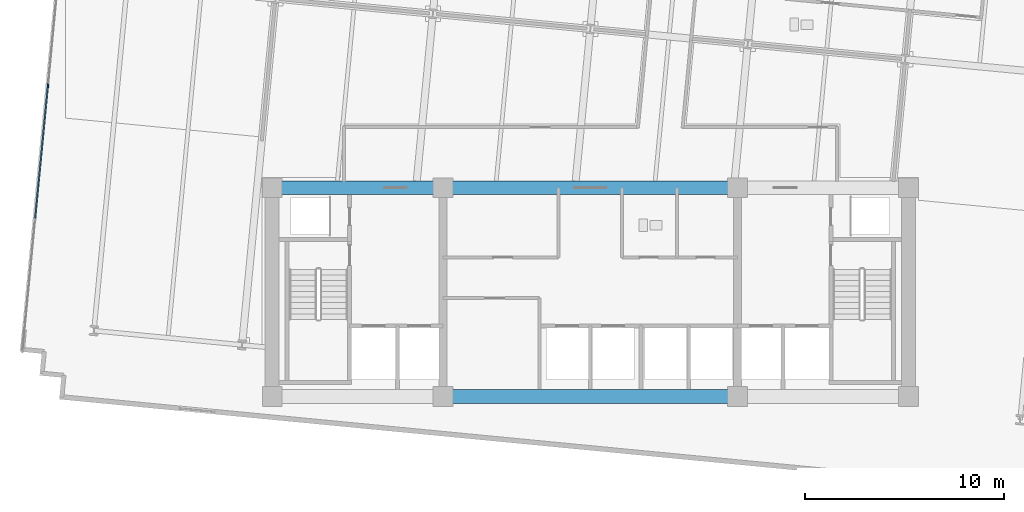
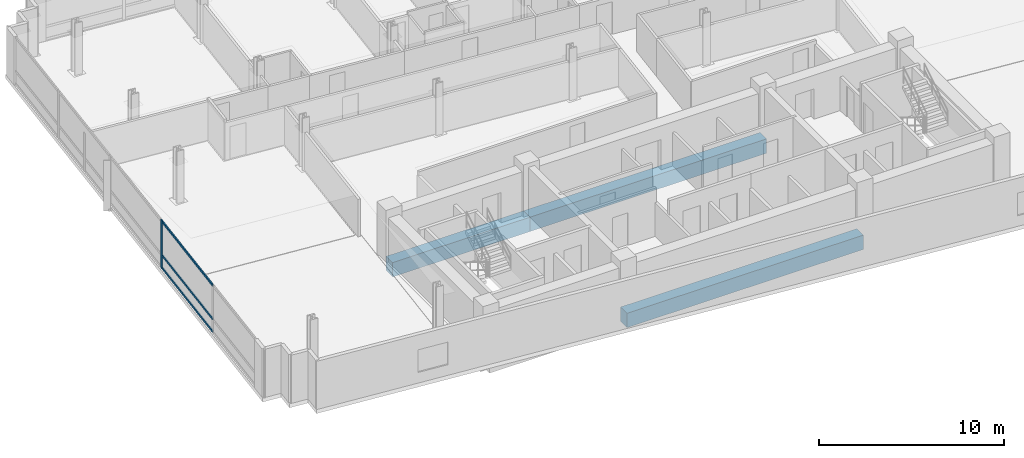
# One storey, part 3 of 17: 4 members, 3 beams, 1 element without a shape of its own.
"""IFC4 building model written with IfcOpenShell, lengths in metres."""

from ifc_helpers import new_model, si_unit, direction, frame, origin, origin_2d, place, context, subcontext, project, spatial, rectangle, extrude, material, material_profile, profile_set, type_object, element, aggregate, save


model = new_model("IFC4")

# Units and contexts
model_context = context("Model", 3, precision=1e-05, world=origin(), true_north=direction((0.0, 1.0)))
body_context = subcontext(model_context, "Body", "Model", "MODEL_VIEW")
ifc_project = project(units=[si_unit("LENGTHUNIT", "METRE"), si_unit("AREAUNIT", "SQUARE_METRE"), si_unit("VOLUMEUNIT", "CUBIC_METRE"), si_unit("PLANEANGLEUNIT", "RADIAN"), si_unit("MASSUNIT", "GRAM", prefix="KILO")], contexts=[model_context])

# Site, building, storey
site_placement = place(None, origin())
site = spatial("IfcSite", under=ifc_project, at=site_placement, CompositionType="ELEMENT")
building_placement = place(site_placement, origin())
building = spatial("IfcBuilding", under=site, at=building_placement, Name="Solmavex Isthmus Hotel", CompositionType="ELEMENT")
storey_placement = place(building_placement, frame((0.0, 0.0, 139.35009765625)))
storey = spatial("IfcBuildingStorey", under=building, at=storey_placement, Name="L37", CompositionType="ELEMENT", Elevation=139.35009765625)

# Beams
ifc_material_1 = material(Name="Concrete C60/75", Category="concrete")
ifc_material_profile_1 = material_profile(ifc_material_1, rectangle(XDim=0.699951171875, YDim=0.949951171875, at=origin_2d()), Name="RC700X950")
ifc_profile_set_1 = profile_set([ifc_material_profile_1], Name="Concrete C60/75")
beam_type = type_object("IfcBeamType", Name="BM-CB-700X950", PredefinedType="BEAM", material=ifc_profile_set_1)
beam_1_placement = place(storey_placement, frame((-7.39990234375, -13.0, -0.735107421875), z_axis=(1.0, 0.0, 0.0), x_axis=(0.0, 1.0, 0.0)))
element("IfcBeam", 1, at=beam_1_placement, inside=storey, type_object=beam_type, Name="Core Coupling Beam L37-CB2", PredefinedType="BEAM", context=body_context, shape_type="SweptSolid", body=[
    extrude(rectangle(XDim=0.699951171875, YDim=0.949951171875, at=origin_2d()), origin(), (0.0, 0.0, 1.0), 14.7998046875),
])
beam_2_placement = place(storey_placement, frame((-16.0, -2.5, -0.735107421875), z_axis=(1.0, 0.0, 0.0), x_axis=(0.0, 1.0, 0.0)))
element("IfcBeam", 2, at=beam_2_placement, inside=storey, type_object=beam_type, Name="Core Coupling Beam L37-CB4", PredefinedType="BEAM", context=body_context, shape_type="SweptSolid", body=[
    extrude(rectangle(XDim=0.699951171875, YDim=0.949951171875, at=origin_2d()), origin(), (0.0, 0.0, 1.0), 8.60009765625),
])
beam_3_placement = place(storey_placement, frame((-7.39990234375, -2.5, -0.735107421875), z_axis=(1.0, 0.0, 0.0), x_axis=(0.0, 1.0, 0.0)))
element("IfcBeam", 3, at=beam_3_placement, inside=storey, type_object=beam_type, Name="Core Coupling Beam L37-CB5", PredefinedType="BEAM", context=body_context, shape_type="SweptSolid", body=[
    extrude(rectangle(XDim=0.699951171875, YDim=0.949951171875, at=origin_2d()), origin(), (0.0, 0.0, 1.0), 14.7998046875),
])

# Curtain wall, members
ifc_material_2 = material(Name="Aluminium alloy 6063-T6", Category="aluminium")
curtain_wall_type = type_object("IfcCurtainWallType", Name="CW-SYS-03", PredefinedType="NOTDEFINED", material=ifc_material_2)
curtain_wall_placement = place(storey_placement, origin())
curtain_wall = element("IfcCurtainWall", 4, at=curtain_wall_placement, inside=storey, type_object=curtain_wall_type, Name="Stick Curtain Wall CWL-L37-W1", PredefinedType="NOTDEFINED")
ifc_material_profile_2 = material_profile(ifc_material_2, rectangle(XDim=0.070068359375, YDim=0.179931640625, at=origin_2d()), Name="CWM-70X180")
ifc_profile_set_2 = profile_set([ifc_material_profile_2], Name="Aluminium alloy 6063-T6")
member_type_1 = type_object("IfcMemberType", Name="CW-SYS-03-MUL", PredefinedType="MULLION", material=ifc_profile_set_2)
member_1_placement = place(storey_placement, frame((-27.2783203125, 2.6318359375, 0.0), z_axis=(0.0, 0.0, 1.0), x_axis=(-0.995396190038, 0.09584583902, 0.0)))
member_1 = element("IfcMember", 5, at=member_1_placement, type_object=member_type_1, Name="CW-03 mullion 3", PredefinedType="MULLION", context=body_context, shape_type="SweptSolid", body=[
    extrude(rectangle(XDim=0.070068359375, YDim=0.179931640625, at=origin_2d()), origin(), (0.0, 0.0, 1.0), 3.18994140625),
])
ifc_material_profile_3 = material_profile(ifc_material_2, rectangle(XDim=0.070068359375, YDim=0.139892578125, at=origin_2d()), Name="CWT-70X140")
ifc_profile_set_3 = profile_set([ifc_material_profile_3], Name="Aluminium alloy 6063-T6")
member_type_2 = type_object("IfcMemberType", Name="CW-SYS-03-TRN", PredefinedType="USERDEFINED", material=ifc_profile_set_3)
member_2_placement = place(storey_placement, frame((-27.9189453125, -4.0224609375, 0.06982421875), z_axis=(0.095820836451, 0.995398597197, 0.0), x_axis=(-0.995398597197, 0.095820836451, 0.0)))
member_2 = element("IfcMember", 6, at=member_2_placement, type_object=member_type_2, Name="CW-03 transom 2.1", ObjectType="TRANSOM", PredefinedType="USERDEFINED", context=body_context, shape_type="SweptSolid", body=[
    extrude(rectangle(XDim=0.070068359375, YDim=0.139892578125, at=origin_2d()), origin(), (0.0, 0.0, 1.0), 6.64990234375),
])
member_3_placement = place(storey_placement, frame((-27.9189453125, -4.0224609375, 0.89990234375), z_axis=(0.095820836451, 0.995398597197, 0.0), x_axis=(-0.995398597197, 0.095820836451, 0.0)))
member_3 = element("IfcMember", 7, at=member_3_placement, type_object=member_type_2, Name="CW-03 transom 2.2", ObjectType="TRANSOM", PredefinedType="USERDEFINED", context=body_context, shape_type="SweptSolid", body=[
    extrude(rectangle(XDim=0.070068359375, YDim=0.139892578125, at=origin_2d()), origin(), (0.0, 0.0, 1.0), 6.64990234375),
])
member_4_placement = place(storey_placement, frame((-27.9189453125, -4.0224609375, 3.119873046875), z_axis=(0.095820836451, 0.995398597197, 0.0), x_axis=(-0.995398597197, 0.095820836451, 0.0)))
member_4 = element("IfcMember", 8, at=member_4_placement, type_object=member_type_2, Name="CW-03 transom 2.3", ObjectType="TRANSOM", PredefinedType="USERDEFINED", context=body_context, shape_type="SweptSolid", body=[
    extrude(rectangle(XDim=0.070068359375, YDim=0.139892578125, at=origin_2d()), origin(), (0.0, 0.0, 1.0), 6.64990234375),
])
aggregate(curtain_wall, [member_1, member_2, member_3, member_4])

save(model, "model.ifc")
